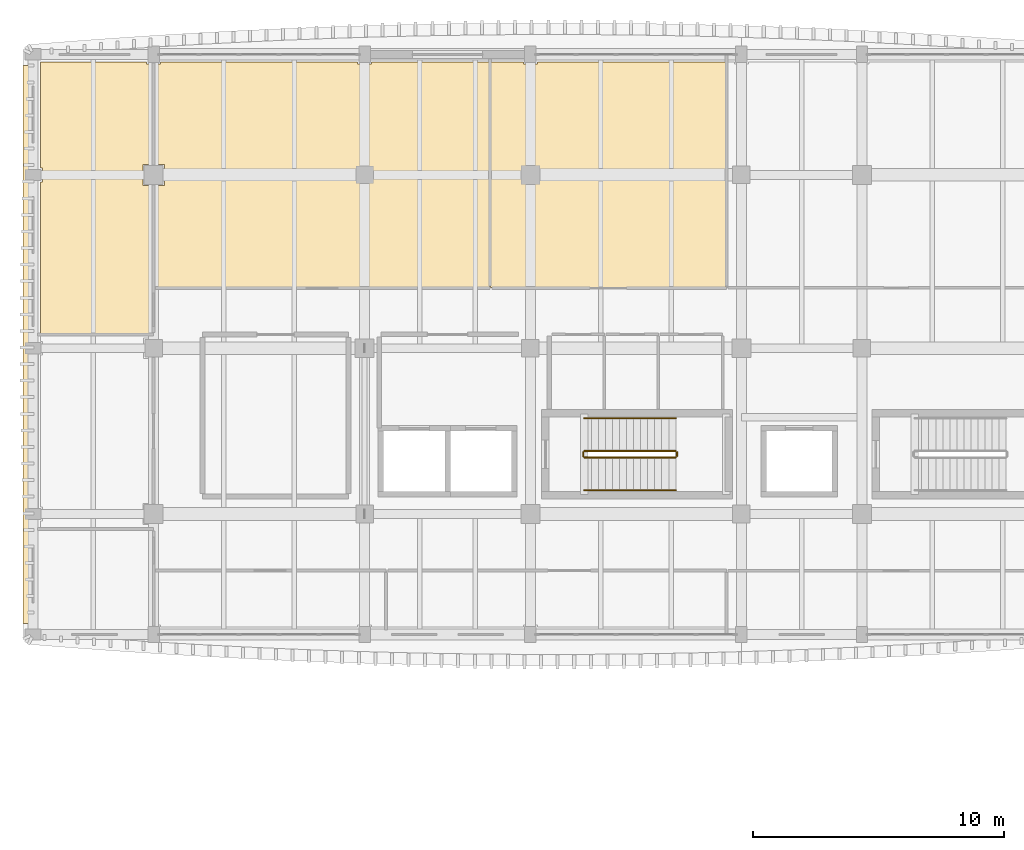
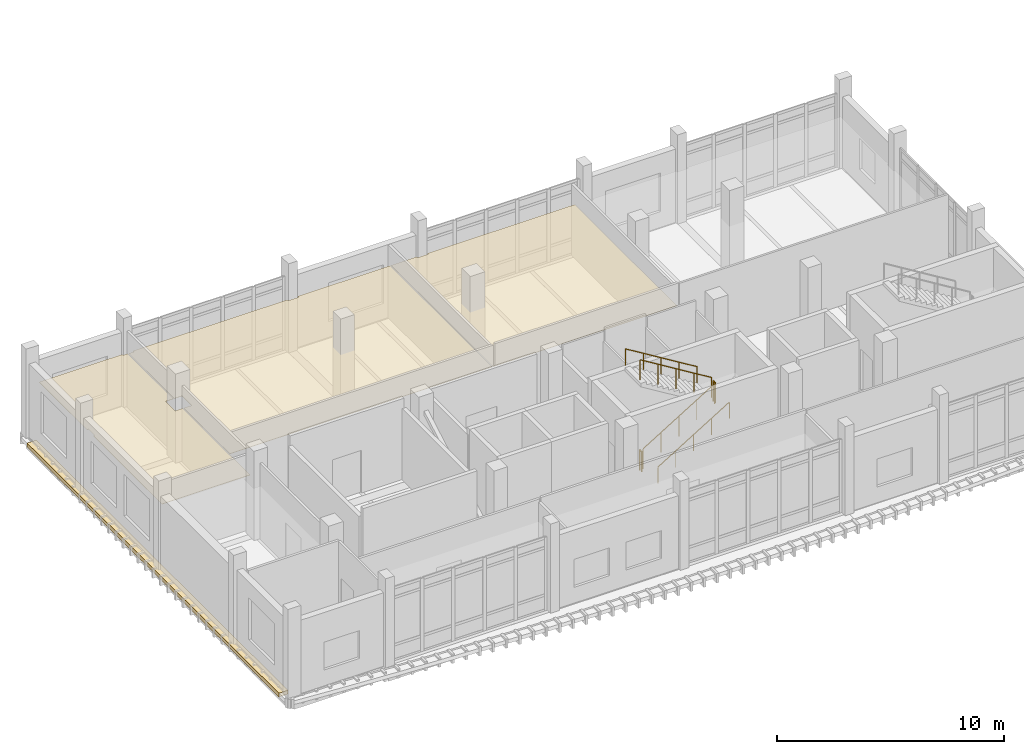
# One storey, part 27 of 37: 6 railings, 4 coverings.
"""IFC4 building model written with IfcOpenShell, lengths in metres."""

from ifc_helpers import new_model, si_unit, direction, frame, origin, origin_2d, place, context, subcontext, project, spatial, polyline, circle, outline, extrude, material, layer, layer_set, type_object, element, save


model = new_model("IFC4")

# Units and contexts
model_context = context("Model", 3, precision=1e-05, world=origin(), true_north=direction((0.0, 1.0)))
body_context = subcontext(model_context, "Body", "Model", "MODEL_VIEW")
ifc_project = project(units=[si_unit("LENGTHUNIT", "METRE"), si_unit("AREAUNIT", "SQUARE_METRE"), si_unit("VOLUMEUNIT", "CUBIC_METRE"), si_unit("PLANEANGLEUNIT", "RADIAN"), si_unit("MASSUNIT", "GRAM", prefix="KILO")], contexts=[model_context])

# Site, building, storey
site_placement = place(None, origin())
site = spatial("IfcSite", under=ifc_project, at=site_placement, CompositionType="ELEMENT")
building_placement = place(site_placement, origin())
building = spatial("IfcBuilding", under=site, at=building_placement, Name="Dornvale Research Institute", CompositionType="ELEMENT")
storey_placement = place(building_placement, frame((0.0, 0.0, 29.39990234375)))
storey = spatial("IfcBuildingStorey", under=building, at=storey_placement, Name="L06", CompositionType="ELEMENT", Elevation=29.39990234375)

# Coverings
ifc_material_1 = material(Name="Mineral-Fibre Acoustic Lay-In Ceiling Tile System")
ifc_layer_1 = layer(ifc_material_1, 0.02001953125)
ifc_layer_set_1 = layer_set([ifc_layer_1], Name="Mineral-Fibre Acoustic Lay-In Ceiling Tile System")
covering_type_1 = type_object("IfcCoveringType", Name="Covering_Acoustic_Ceiling", PredefinedType="CEILING", material=ifc_layer_set_1)
covering_1_placement = place(storey_placement, frame((0.0, 0.0, 2.85009765625)))
element("IfcCovering", 1, at=covering_1_placement, inside=storey, type_object=covering_type_1, Name="L06 Ecological Informatics Laboratory West Alcove suspended ceiling", PredefinedType="CEILING", context=body_context, shape_type="SweptSolid", body=[
    extrude(outline(polyline([(0.300048828125, 110.969970703125), (0.300048828125, 117.02490234375), (0.375, 117.02490234375), (0.375, 117.574951171875), (0.300048828125, 117.574951171875), (0.300048828125, 121.800048828125), (4.52490234375, 121.800048828125), (4.52490234375, 121.72509765625), (4.780029296875, 121.72509765625), (4.780029296875, 117.72509765625), (4.375, 117.72509765625), (4.375, 116.875), (4.780029296875, 116.875), (4.780029296875, 110.969970703125), (0.300048828125, 110.969970703125)])), origin(), (0.0, 0.0, 1.0), 0.02001953125),
])
covering_2_placement = place(storey_placement, frame((0.0, 0.0, 2.85009765625)))
element("IfcCovering", 2, at=covering_2_placement, inside=storey, type_object=covering_type_1, Name="L06 Ecological Informatics Laboratory suspended ceiling", PredefinedType="CEILING", context=body_context, shape_type="SweptSolid", body=[
    extrude(outline(polyline([(4.820068359375, 117.72509765625), (4.820068359375, 121.72509765625), (5.074951171875, 121.72509765625), (5.074951171875, 121.800048828125), (12.925048828125, 121.800048828125), (12.925048828125, 121.72509765625), (13.47509765625, 121.72509765625), (13.47509765625, 121.800048828125), (18.179931640625, 121.800048828125), (18.179931640625, 112.820068359375), (4.820068359375, 112.820068359375), (4.820068359375, 116.875), (5.22509765625, 116.875), (5.22509765625, 117.72509765625), (4.820068359375, 117.72509765625)])), origin(), (0.0, 0.0, 1.0), 0.02001953125),
])
covering_3_placement = place(storey_placement, frame((0.0, 0.0, 2.85009765625)))
element("IfcCovering", 3, at=covering_3_placement, inside=storey, type_object=covering_type_1, Name="L06 Quantum Chemistry Simulation Lab suspended ceiling", PredefinedType="CEILING", context=body_context, shape_type="SweptSolid", body=[
    extrude(outline(polyline([(20.074951171875, 121.72509765625), (20.074951171875, 121.800048828125), (27.580078125, 121.800048828125), (27.580078125, 112.820068359375), (18.219970703125, 112.820068359375), (18.219970703125, 121.800048828125), (19.52490234375, 121.800048828125), (19.52490234375, 121.72509765625), (20.074951171875, 121.72509765625)])), origin(), (0.0, 0.0, 1.0), 0.02001953125),
])
ifc_material_2 = material(Name="Polychrome Glazed Terracotta Visor Rib Ceramic", Category="masonry")
ifc_layer_2 = layer(ifc_material_2, 0.199951171875)
ifc_layer_set_2 = layer_set([ifc_layer_2], Name="Polychrome Glazed Terracotta Visor Rib Ceramic")
covering_type_2 = type_object("IfcCoveringType", Name="Covering_VisorBrim_Shelf", PredefinedType="CLADDING", material=ifc_layer_set_2)
covering_4_placement = place(storey_placement, frame((0.0, 0.0, -0.27978515625)))
element("IfcCovering", 4, at=covering_4_placement, inside=storey, type_object=covering_type_2, Name="L06 V5 canted bowed-brim visor hood #27", PredefinedType="CLADDING", context=body_context, shape_type="SweptSolid", body=[
    extrude(outline(polyline([(-0.4033203125, 121.64990234375), (0.06005859375, 121.64990234375), (0.06005859375, 99.449951171875), (-0.4033203125, 99.449951171875), (-0.4033203125, 121.64990234375)])), origin(), (0.0, 0.0, 1.0), 0.199951171875),
])

# Railings
ifc_material_3 = material(Name="Galvanized Painted Tubular Steel Stair Rail", Category="steel")
ifc_layer_3 = layer(ifc_material_3, 0.050048828125)
ifc_layer_set_3 = layer_set([ifc_layer_3], Name="Galvanized Painted Tubular Steel Stair Rail")
railing_type_1 = type_object("IfcRailingType", Name="Railing_Stair_Guard_1100", PredefinedType="GUARDRAIL", material=ifc_layer_set_3)
railing_1_placement = place(storey_placement, frame((21.949951171875, 106.050048828125, 0.171630859375)))
element("IfcRailing", 5, at=railing_1_placement, inside=storey, type_object=railing_type_1, Name="L06 ST-1 stair guard 1", PredefinedType="GUARDRAIL", context=body_context, shape_type="SweptSolid", body=[
    extrude(circle(Radius=0.02392578125, at=origin_2d()), frame((0.0, 0.0, 1.076171875), z_axis=(0.852865859571, 0.0, 0.52213008492), x_axis=(0.0, 1.0, 0.0)), (0.0, 0.0, 1.0), 4.26806640625),
    extrude(circle(Radius=0.02099609375, at=origin_2d()), origin(), (0.0, 0.0, 1.0), 1.052001953125),
    extrude(circle(Radius=0.02099609375, at=origin_2d()), frame((0.91015625, 0.0, 0.55712890625)), (0.0, 0.0, 1.0), 1.052001953125),
    extrude(circle(Radius=0.02099609375, at=origin_2d()), frame((1.820068359375, 0.0, 1.1142578125)), (0.0, 0.0, 1.0), 1.052001953125),
    extrude(circle(Radius=0.02099609375, at=origin_2d()), frame((2.72998046875, 0.0, 1.67138671875)), (0.0, 0.0, 1.0), 1.052001953125),
    extrude(circle(Radius=0.02099609375, at=origin_2d()), frame((3.64013671875, 0.0, 2.228515625)), (0.0, 0.0, 1.0), 1.052001953125),
])
railing_2_placement = place(storey_placement, frame((25.639892578125, 106.10009765625, 2.400146484375)))
element("IfcRailing", 6, at=railing_2_placement, inside=storey, type_object=railing_type_1, Name="L06 ST-1 stair guard 2", PredefinedType="GUARDRAIL", context=body_context, shape_type="SweptSolid", body=[
    extrude(circle(Radius=0.02392578125, at=origin_2d()), frame((0.0, 0.0, 1.076171875), z_axis=(0.0, 1.0, 0.0), x_axis=(-1.0, 0.0, 0.0)), (0.0, 0.0, 1.0), 0.159912109375),
    extrude(circle(Radius=0.02099609375, at=origin_2d()), origin(), (0.0, 0.0, 1.0), 1.052001953125),
    extrude(circle(Radius=0.02099609375, at=origin_2d()), frame((0.0, 0.159912109375, 0.0)), (0.0, 0.0, 1.0), 1.052001953125),
])
railing_3_placement = place(storey_placement, frame((25.590087890625, 106.31005859375, 2.571533203125)))
element("IfcRailing", 7, at=railing_3_placement, inside=storey, type_object=railing_type_1, Name="L06 ST-1 stair guard 3", PredefinedType="GUARDRAIL", context=body_context, shape_type="SweptSolid", body=[
    extrude(circle(Radius=0.02392578125, at=origin_2d()), frame((0.0, 0.0, 1.076171875), z_axis=(-0.852865859571, 0.0, 0.52213008492), x_axis=(0.0, -1.0, 0.0)), (0.0, 0.0, 1.0), 4.26806640625),
    extrude(circle(Radius=0.02099609375, at=origin_2d()), origin(), (0.0, 0.0, 1.0), 1.052001953125),
    extrude(circle(Radius=0.02099609375, at=origin_2d()), frame((-0.91015625, 0.0, 0.55712890625)), (0.0, 0.0, 1.0), 1.052001953125),
    extrude(circle(Radius=0.02099609375, at=origin_2d()), frame((-1.820068359375, 0.0, 1.1142578125)), (0.0, 0.0, 1.0), 1.052001953125),
    extrude(circle(Radius=0.02099609375, at=origin_2d()), frame((-2.72998046875, 0.0, 1.67138671875)), (0.0, 0.0, 1.0), 1.052001953125),
    extrude(circle(Radius=0.02099609375, at=origin_2d()), frame((-3.64013671875, 0.0, 2.228515625)), (0.0, 0.0, 1.0), 1.052001953125),
])
railing_4_placement = place(storey_placement, frame((21.89990234375, 106.10009765625, 0.0)))
element("IfcRailing", 8, at=railing_4_placement, inside=storey, type_object=railing_type_1, Name="L06 ST-1 stair guard 4", PredefinedType="GUARDRAIL", context=body_context, shape_type="SweptSolid", body=[
    extrude(circle(Radius=0.02392578125, at=origin_2d()), frame((0.0, 0.0, 1.076171875), z_axis=(0.0, 1.0, 0.0), x_axis=(-1.0, 0.0, 0.0)), (0.0, 0.0, 1.0), 0.159912109375),
    extrude(circle(Radius=0.02099609375, at=origin_2d()), origin(), (0.0, 0.0, 1.0), 1.052001953125),
    extrude(circle(Radius=0.02099609375, at=origin_2d()), frame((0.0, 0.159912109375, 0.0)), (0.0, 0.0, 1.0), 1.052001953125),
])
ifc_material_4 = material(Name="Galvanized Painted Tubular Steel Stair Rail", Category="steel")
ifc_layer_4 = layer(ifc_material_4, 0.044921875)
ifc_layer_set_4 = layer_set([ifc_layer_4], Name="Galvanized Painted Tubular Steel Stair Rail")
railing_type_2 = type_object("IfcRailingType", Name="Railing_Stair_Handrail_900", PredefinedType="HANDRAIL", material=ifc_layer_set_4)
railing_5_placement = place(storey_placement, frame((21.949951171875, 104.75, 0.171630859375)))
element("IfcRailing", 9, at=railing_5_placement, inside=storey, type_object=railing_type_2, Name="L06 ST-1 stair handrail 1", PredefinedType="HANDRAIL", context=body_context, shape_type="SweptSolid", body=[
    extrude(circle(Radius=0.02392578125, at=origin_2d()), frame((0.0, 0.0, 0.8759765625), z_axis=(0.852865859571, 0.0, 0.52213008492), x_axis=(0.0, 1.0, 0.0)), (0.0, 0.0, 1.0), 4.26806640625),
    extrude(circle(Radius=0.02099609375, at=origin_2d()), origin(), (0.0, 0.0, 1.0), 0.851806640625),
    extrude(circle(Radius=0.02099609375, at=origin_2d()), frame((0.91015625, 0.0, 0.55712890625)), (0.0, 0.0, 1.0), 0.851806640625),
    extrude(circle(Radius=0.02099609375, at=origin_2d()), frame((1.820068359375, 0.0, 1.1142578125)), (0.0, 0.0, 1.0), 0.851806640625),
    extrude(circle(Radius=0.02099609375, at=origin_2d()), frame((2.72998046875, 0.0, 1.67138671875)), (0.0, 0.0, 1.0), 0.851806640625),
    extrude(circle(Radius=0.02099609375, at=origin_2d()), frame((3.64013671875, 0.0, 2.228515625)), (0.0, 0.0, 1.0), 0.851806640625),
])
railing_6_placement = place(storey_placement, frame((25.590087890625, 107.610107421875, 2.571533203125)))
element("IfcRailing", 10, at=railing_6_placement, inside=storey, type_object=railing_type_2, Name="L06 ST-1 stair handrail 2", PredefinedType="HANDRAIL", context=body_context, shape_type="SweptSolid", body=[
    extrude(circle(Radius=0.02392578125, at=origin_2d()), frame((0.0, 0.0, 0.8759765625), z_axis=(-0.852865859571, 0.0, 0.52213008492), x_axis=(0.0, -1.0, 0.0)), (0.0, 0.0, 1.0), 4.26806640625),
    extrude(circle(Radius=0.02099609375, at=origin_2d()), origin(), (0.0, 0.0, 1.0), 0.851806640625),
    extrude(circle(Radius=0.02099609375, at=origin_2d()), frame((-0.91015625, 0.0, 0.55712890625)), (0.0, 0.0, 1.0), 0.851806640625),
    extrude(circle(Radius=0.02099609375, at=origin_2d()), frame((-1.820068359375, 0.0, 1.1142578125)), (0.0, 0.0, 1.0), 0.851806640625),
    extrude(circle(Radius=0.02099609375, at=origin_2d()), frame((-2.72998046875, 0.0, 1.67138671875)), (0.0, 0.0, 1.0), 0.851806640625),
    extrude(circle(Radius=0.02099609375, at=origin_2d()), frame((-3.64013671875, 0.0, 2.228515625)), (0.0, 0.0, 1.0), 0.851806640625),
])

save(model, "model.ifc")
